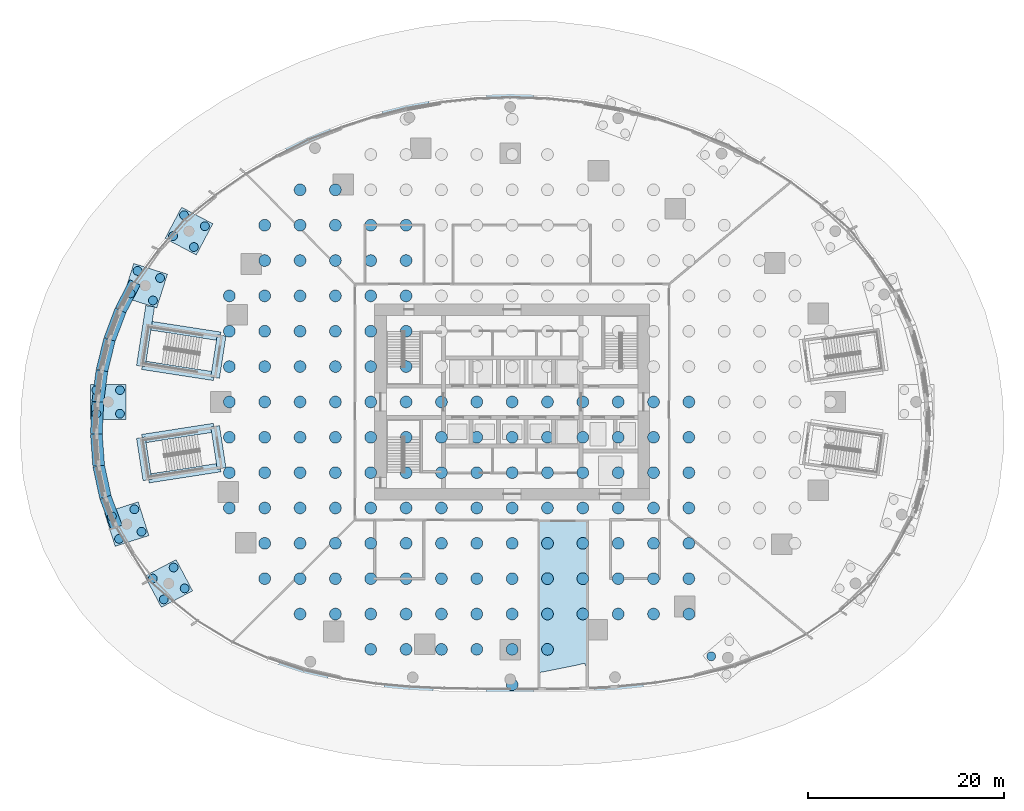
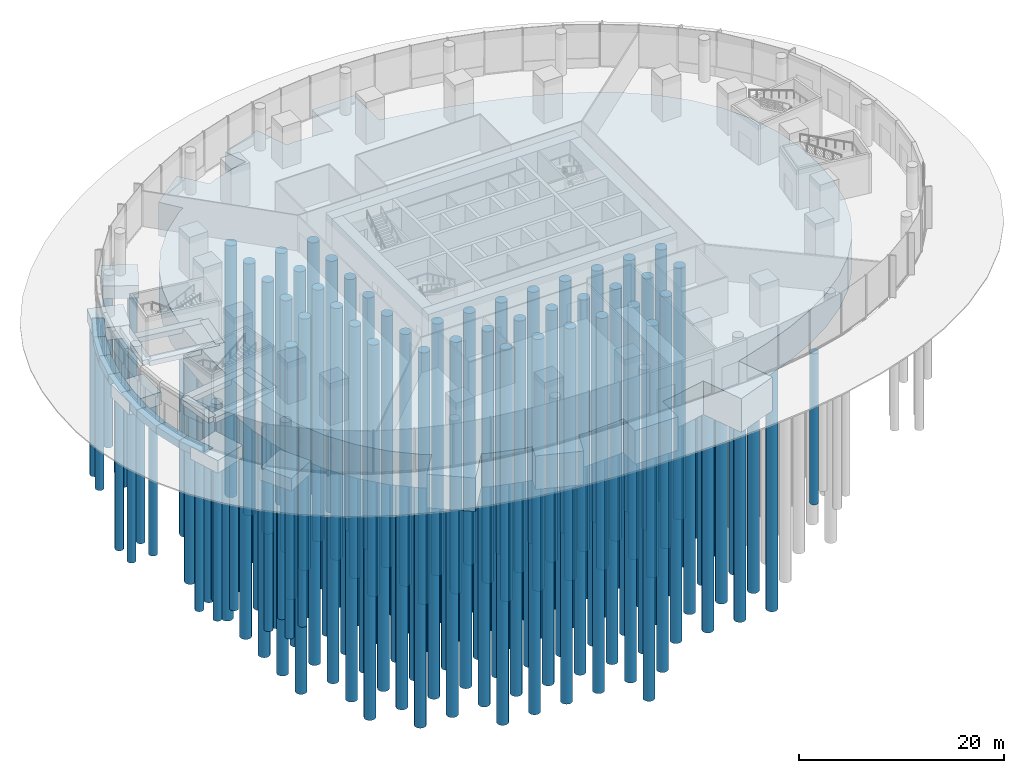
# One storey, part 1 of 29: 152 piles, 22 footings.
"""IFC4 building model written with IfcOpenShell, lengths in metres."""

from ifc_helpers import new_model, si_unit, direction, frame, frame_2d, origin, origin_2d, place, context, subcontext, project, spatial, polyline, rectangle, circle, outline, extrude, material, layer, layer_set, material_profile, profile_set, type_object, element, save


model = new_model("IFC4")

# Units and contexts
model_context = context("Model", 3, precision=1e-05, world=origin(), true_north=direction((0.0, 1.0)))
body_context = subcontext(model_context, "Body", "Model", "MODEL_VIEW")
ifc_project = project(units=[si_unit("LENGTHUNIT", "METRE"), si_unit("AREAUNIT", "SQUARE_METRE"), si_unit("VOLUMEUNIT", "CUBIC_METRE"), si_unit("PLANEANGLEUNIT", "RADIAN"), si_unit("MASSUNIT", "GRAM", prefix="KILO")], contexts=[model_context])

# Site, building, storey
site_placement = place(None, origin())
site = spatial("IfcSite", under=ifc_project, at=site_placement, CompositionType="ELEMENT")
building_placement = place(site_placement, origin())
building = spatial("IfcBuilding", under=site, at=building_placement, Name="Ghaith Harvest Tower", CompositionType="ELEMENT")
storey_placement = place(building_placement, origin())
storey = spatial("IfcBuildingStorey", under=building, at=storey_placement, Name="L00", CompositionType="ELEMENT", Elevation=0.0)

# Piles
ifc_material_1 = material(Name="Concrete C50/60", Category="concrete")
ifc_material_profile_1 = material_profile(ifc_material_1, circle(Radius=0.60009765625, at=origin_2d()), Name="PILE1200")
ifc_profile_set_1 = profile_set([ifc_material_profile_1], Name="Concrete C50/60")
pile_type_1 = type_object("IfcPileType", Name="PILE BP1200", PredefinedType="BORED", material=ifc_profile_set_1)
for number, where, z_axis, x_axis, name in (
    (1, (-28.800048828125, -10.800048828125, -4.14990234375), (0.0, 0.0, -1.0), (1.0, 0.0, 0.0), "Raft pile 1"),
    (2, (-28.800048828125, -7.199951171875, -4.14990234375), (0.0, 0.0, -1.0), (1.0, 0.0, 0.0), "Raft pile 2"),
    (3, (-28.800048828125, -3.60009765625, -4.14990234375), (0.0, 0.0, -1.0), (1.0, 0.0, 0.0), "Raft pile 3"),
    (4, (-28.800048828125, 0.0, -4.14990234375), (0.0, 0.0, -1.0), (1.0, 0.0, 0.0), "Raft pile 4"),
    (5, (-28.800048828125, 3.60009765625, -4.14990234375), (0.0, 0.0, -1.0), (1.0, 0.0, 0.0), "Raft pile 5"),
    (6, (-28.800048828125, 7.199951171875, -4.14990234375), (0.0, 0.0, -1.0), (1.0, 0.0, 0.0), "Raft pile 6"),
    (7, (-28.800048828125, 10.800048828125, -4.14990234375), (0.0, 0.0, -1.0), (1.0, 0.0, 0.0), "Raft pile 7"),
    (8, (-25.199951171875, -18.0, -4.14990234375), (0.0, 0.0, -1.0), (1.0, 0.0, 0.0), "Raft pile 8"),
    (9, (-25.199951171875, -14.39990234375, -4.14990234375), (0.0, 0.0, -1.0), (1.0, 0.0, 0.0), "Raft pile 9"),
    (10, (-25.199951171875, -10.800048828125, -4.14990234375), (0.0, 0.0, -1.0), (1.0, 0.0, 0.0), "Raft pile 10"),
    (11, (-25.199951171875, -7.199951171875, -4.14990234375), (0.0, 0.0, -1.0), (1.0, 0.0, 0.0), "Raft pile 11"),
    (12, (-25.199951171875, -3.60009765625, -4.14990234375), (0.0, 0.0, -1.0), (1.0, 0.0, 0.0), "Raft pile 12"),
    (13, (-25.199951171875, 0.0, -4.14990234375), (0.0, 0.0, -1.0), (1.0, 0.0, 0.0), "Raft pile 13"),
    (14, (-25.199951171875, 3.60009765625, -4.14990234375), (0.0, 0.0, -1.0), (1.0, 0.0, 0.0), "Raft pile 14"),
    (15, (-25.199951171875, 7.199951171875, -4.14990234375), (0.0, 0.0, -1.0), (1.0, 0.0, 0.0), "Raft pile 15"),
    (16, (-25.199951171875, 10.800048828125, -4.14990234375), (0.0, 0.0, -1.0), (1.0, 0.0, 0.0), "Raft pile 16"),
    (17, (-25.199951171875, 14.39990234375, -4.14990234375), (0.0, 0.0, -1.0), (1.0, 0.0, 0.0), "Raft pile 17"),
    (18, (-25.199951171875, 18.0, -4.14990234375), (0.0, 0.0, -1.0), (1.0, 0.0, 0.0), "Raft pile 18"),
    (19, (-21.60009765625, -21.60009765625, -4.14990234375), (0.0, 0.0, -1.0), (1.0, 0.0, 0.0), "Raft pile 19"),
    (20, (-21.60009765625, -18.0, -4.14990234375), (0.0, 0.0, -1.0), (1.0, 0.0, 0.0), "Raft pile 20"),
    (21, (-21.60009765625, -14.39990234375, -4.14990234375), (0.0, 0.0, -1.0), (1.0, 0.0, 0.0), "Raft pile 21"),
    (22, (-21.60009765625, -10.800048828125, -4.14990234375), (0.0, 0.0, -1.0), (1.0, 0.0, 0.0), "Raft pile 22"),
    (23, (-21.60009765625, -7.199951171875, -4.14990234375), (0.0, 0.0, -1.0), (1.0, 0.0, 0.0), "Raft pile 23"),
    (24, (-21.60009765625, -3.60009765625, -4.14990234375), (0.0, 0.0, -1.0), (1.0, 0.0, 0.0), "Raft pile 24"),
    (25, (-21.60009765625, 0.0, -4.14990234375), (0.0, 0.0, -1.0), (1.0, 0.0, 0.0), "Raft pile 25"),
    (26, (-21.60009765625, 3.60009765625, -4.14990234375), (0.0, 0.0, -1.0), (1.0, 0.0, 0.0), "Raft pile 26"),
    (27, (-21.60009765625, 7.199951171875, -4.14990234375), (0.0, 0.0, -1.0), (1.0, 0.0, 0.0), "Raft pile 27"),
    (28, (-21.60009765625, 10.800048828125, -4.14990234375), (0.0, 0.0, -1.0), (1.0, 0.0, 0.0), "Raft pile 28"),
    (29, (-21.60009765625, 14.39990234375, -4.14990234375), (0.0, 0.0, -1.0), (1.0, 0.0, 0.0), "Raft pile 29"),
    (30, (-21.60009765625, 18.0, -4.14990234375), (0.0, 0.0, -1.0), (1.0, 0.0, 0.0), "Raft pile 30"),
    (31, (-21.60009765625, 21.60009765625, -4.14990234375), (0.0, 0.0, -1.0), (1.0, 0.0, 0.0), "Raft pile 31"),
    (32, (-18.0, -21.60009765625, -4.14990234375), (0.0, 0.0, -1.0), (1.0, 0.0, 0.0), "Raft pile 32"),
    (33, (-18.0, -18.0, -4.14990234375), (0.0, 0.0, -1.0), (1.0, 0.0, 0.0), "Raft pile 33"),
    (34, (-18.0, -14.39990234375, -4.14990234375), (0.0, 0.0, -1.0), (1.0, 0.0, 0.0), "Raft pile 34"),
    (35, (-18.0, -10.800048828125, -4.14990234375), (0.0, 0.0, -1.0), (1.0, 0.0, 0.0), "Raft pile 35"),
    (36, (-18.0, -7.199951171875, -4.14990234375), (0.0, 0.0, -1.0), (1.0, 0.0, 0.0), "Raft pile 36"),
    (37, (-18.0, -3.60009765625, -4.14990234375), (0.0, 0.0, -1.0), (1.0, 0.0, 0.0), "Raft pile 37"),
    (38, (-18.0, 0.0, -4.14990234375), (0.0, 0.0, -1.0), (1.0, 0.0, 0.0), "Raft pile 38"),
    (39, (-18.0, 3.60009765625, -4.14990234375), (0.0, 0.0, -1.0), (1.0, 0.0, 0.0), "Raft pile 39"),
    (40, (-18.0, 7.199951171875, -4.14990234375), (0.0, 0.0, -1.0), (1.0, 0.0, 0.0), "Raft pile 40"),
    (41, (-18.0, 10.800048828125, -4.14990234375), (0.0, 0.0, -1.0), (1.0, 0.0, 0.0), "Raft pile 41"),
    (42, (-18.0, 14.39990234375, -4.14990234375), (0.0, 0.0, -1.0), (1.0, 0.0, 0.0), "Raft pile 42"),
    (43, (-18.0, 18.0, -4.14990234375), (0.0, 0.0, -1.0), (1.0, 0.0, 0.0), "Raft pile 43"),
    (44, (-18.0, 21.60009765625, -4.14990234375), (0.0, 0.0, -1.0), (1.0, 0.0, 0.0), "Raft pile 44"),
    (45, (-14.39990234375, -25.199951171875, -4.14990234375), (0.0, 0.0, -1.0), (1.0, 0.0, 0.0), "Raft pile 45"),
    (46, (-14.39990234375, -21.60009765625, -4.14990234375), (0.0, 0.0, -1.0), (1.0, 0.0, 0.0), "Raft pile 46"),
    (47, (-14.39990234375, -18.0, -4.14990234375), (0.0, 0.0, -1.0), (1.0, 0.0, 0.0), "Raft pile 47"),
    (48, (-14.39990234375, -14.39990234375, -4.14990234375), (0.0, 0.0, -1.0), (1.0, 0.0, 0.0), "Raft pile 48"),
    (49, (-14.39990234375, -10.800048828125, -4.14990234375), (0.0, 0.0, -1.0), (1.0, 0.0, 0.0), "Raft pile 49"),
    (50, (-14.39990234375, -7.199951171875, -4.14990234375), (0.0, 0.0, -1.0), (1.0, 0.0, 0.0), "Raft pile 50"),
    (51, (-14.39990234375, -3.60009765625, -4.14990234375), (0.0, 0.0, -1.0), (1.0, 0.0, 0.0), "Raft pile 51"),
    (52, (-14.39990234375, 0.0, -4.14990234375), (0.0, 0.0, -1.0), (1.0, 0.0, 0.0), "Raft pile 52"),
    (53, (-14.39990234375, 3.60009765625, -4.14990234375), (0.0, 0.0, -1.0), (1.0, 0.0, 0.0), "Raft pile 53"),
    (54, (-14.39990234375, 7.199951171875, -4.14990234375), (0.0, 0.0, -1.0), (1.0, 0.0, 0.0), "Raft pile 54"),
    (55, (-14.39990234375, 10.800048828125, -4.14990234375), (0.0, 0.0, -1.0), (1.0, 0.0, 0.0), "Raft pile 55"),
    (56, (-14.39990234375, 14.39990234375, -4.14990234375), (0.0, 0.0, -1.0), (1.0, 0.0, 0.0), "Raft pile 56"),
    (57, (-14.39990234375, 18.0, -4.14990234375), (0.0, 0.0, -1.0), (1.0, 0.0, 0.0), "Raft pile 57"),
    (58, (-10.800048828125, -25.199951171875, -4.14990234375), (0.0, 0.0, -1.0), (1.0, 0.0, 0.0), "Raft pile 60"),
    (59, (-10.800048828125, -21.60009765625, -4.14990234375), (0.0, 0.0, -1.0), (1.0, 0.0, 0.0), "Raft pile 61"),
    (60, (-10.800048828125, -18.0, -4.14990234375), (0.0, 0.0, -1.0), (1.0, 0.0, 0.0), "Raft pile 62"),
    (61, (-10.800048828125, -14.39990234375, -4.14990234375), (0.0, 0.0, -1.0), (1.0, 0.0, 0.0), "Raft pile 63"),
    (62, (-10.800048828125, -10.800048828125, -4.14990234375), (0.0, 0.0, -1.0), (1.0, 0.0, 0.0), "Raft pile 64"),
    (63, (-10.800048828125, -7.199951171875, -4.14990234375), (0.0, 0.0, -1.0), (1.0, 0.0, 0.0), "Raft pile 65"),
    (64, (-10.800048828125, -3.60009765625, -4.14990234375), (0.0, 0.0, -1.0), (1.0, 0.0, 0.0), "Raft pile 66"),
    (65, (-10.800048828125, 0.0, -4.14990234375), (0.0, 0.0, -1.0), (1.0, 0.0, 0.0), "Raft pile 67"),
    (66, (-10.800048828125, 3.60009765625, -4.14990234375), (0.0, 0.0, -1.0), (1.0, 0.0, 0.0), "Raft pile 68"),
    (67, (-10.800048828125, 7.199951171875, -4.14990234375), (0.0, 0.0, -1.0), (1.0, 0.0, 0.0), "Raft pile 69"),
    (68, (-10.800048828125, 10.800048828125, -4.14990234375), (0.0, 0.0, -1.0), (1.0, 0.0, 0.0), "Raft pile 70"),
    (69, (-10.800048828125, 14.39990234375, -4.14990234375), (0.0, 0.0, -1.0), (1.0, 0.0, 0.0), "Raft pile 71"),
    (70, (-10.800048828125, 18.0, -4.14990234375), (0.0, 0.0, -1.0), (1.0, 0.0, 0.0), "Raft pile 72"),
    (71, (-7.199951171875, -25.199951171875, -4.14990234375), (0.0, 0.0, -1.0), (1.0, 0.0, 0.0), "Raft pile 76"),
    (72, (-7.199951171875, -21.60009765625, -4.14990234375), (0.0, 0.0, -1.0), (1.0, 0.0, 0.0), "Raft pile 77"),
    (73, (-7.199951171875, -18.0, -4.14990234375), (0.0, 0.0, -1.0), (1.0, 0.0, 0.0), "Raft pile 78"),
    (74, (-7.199951171875, -14.39990234375, -4.14990234375), (0.0, 0.0, -1.0), (1.0, 0.0, 0.0), "Raft pile 79"),
    (75, (-7.199951171875, -10.800048828125, -4.14990234375), (0.0, 0.0, -1.0), (1.0, 0.0, 0.0), "Raft pile 80"),
    (76, (-7.199951171875, -7.199951171875, -4.14990234375), (0.0, 0.0, -1.0), (1.0, 0.0, 0.0), "Raft pile 81"),
    (77, (-7.199951171875, -3.60009765625, -4.14990234375), (0.0, 0.0, -1.0), (1.0, 0.0, 0.0), "Raft pile 82"),
    (78, (-7.199951171875, 0.0, -4.14990234375), (0.0, 0.0, -1.0), (1.0, 0.0, 0.0), "Raft pile 83"),
    (79, (-3.60009765625, -25.199951171875, -4.14990234375), (0.0, 0.0, -1.0), (1.0, 0.0, 0.0), "Raft pile 91"),
    (80, (-3.60009765625, -21.60009765625, -4.14990234375), (0.0, 0.0, -1.0), (1.0, 0.0, 0.0), "Raft pile 92"),
    (81, (-3.60009765625, -18.0, -4.14990234375), (0.0, 0.0, -1.0), (1.0, 0.0, 0.0), "Raft pile 93"),
    (82, (-3.60009765625, -14.39990234375, -4.14990234375), (0.0, 0.0, -1.0), (1.0, 0.0, 0.0), "Raft pile 94"),
    (83, (-3.60009765625, -10.800048828125, -4.14990234375), (0.0, 0.0, -1.0), (1.0, 0.0, 0.0), "Raft pile 95"),
    (84, (-3.60009765625, -7.199951171875, -4.14990234375), (0.0, 0.0, -1.0), (1.0, 0.0, 0.0), "Raft pile 96"),
    (85, (-3.60009765625, -3.60009765625, -4.14990234375), (0.0, 0.0, -1.0), (1.0, 0.0, 0.0), "Raft pile 97"),
    (86, (-3.60009765625, 0.0, -4.14990234375), (0.0, 0.0, -1.0), (1.0, 0.0, 0.0), "Raft pile 98"),
    (87, (0.0, -28.800048828125, -4.14990234375), (0.0, 0.0, -1.0), (1.0, 0.0, 0.0), "Raft pile 106"),
    (88, (0.0, -25.199951171875, -4.14990234375), (0.0, 0.0, -1.0), (1.0, 0.0, 0.0), "Raft pile 107"),
    (89, (0.0, -21.60009765625, -4.14990234375), (0.0, 0.0, -1.0), (1.0, 0.0, 0.0), "Raft pile 108"),
    (90, (0.0, -18.0, -4.14990234375), (0.0, 0.0, -1.0), (1.0, 0.0, 0.0), "Raft pile 109"),
    (91, (0.0, -14.39990234375, -4.14990234375), (0.0, 0.0, -1.0), (1.0, 0.0, 0.0), "Raft pile 110"),
    (92, (0.0, -10.800048828125, -4.14990234375), (0.0, 0.0, -1.0), (1.0, 0.0, 0.0), "Raft pile 111"),
    (93, (0.0, -7.199951171875, -4.14990234375), (0.0, 0.0, -1.0), (1.0, 0.0, 0.0), "Raft pile 112"),
    (94, (0.0, -3.60009765625, -4.14990234375), (0.0, 0.0, -1.0), (1.0, 0.0, 0.0), "Raft pile 113"),
    (95, (0.0, 0.0, -4.14990234375), (0.0, 0.0, -1.0), (1.0, 0.0, 0.0), "Raft pile 114"),
    (96, (3.60009765625, -25.199951171875, -4.14990234375), (0.0, 0.0, -1.0), (1.0, 0.0, 0.0), "Raft pile 123"),
    (97, (3.60009765625, -21.60009765625, -4.14990234375), (0.0, 0.0, -1.0), (1.0, 0.0, 0.0), "Raft pile 124"),
    (98, (3.60009765625, -18.0, -4.14990234375), (0.0, 0.0, -1.0), (1.0, 0.0, 0.0), "Raft pile 125"),
    (99, (3.60009765625, -14.39990234375, -4.14990234375), (0.0, 0.0, -1.0), (1.0, 0.0, 0.0), "Raft pile 126"),
    (100, (3.60009765625, -10.800048828125, -4.14990234375), (0.0, 0.0, -1.0), (1.0, 0.0, 0.0), "Raft pile 127"),
    (101, (3.60009765625, -7.199951171875, -4.14990234375), (0.0, 0.0, -1.0), (1.0, 0.0, 0.0), "Raft pile 128"),
    (102, (3.60009765625, -3.60009765625, -4.14990234375), (0.0, 0.0, -1.0), (1.0, 0.0, 0.0), "Raft pile 129"),
    (103, (3.60009765625, 0.0, -4.14990234375), (0.0, 0.0, -1.0), (1.0, 0.0, 0.0), "Raft pile 130"),
    (104, (7.199951171875, -21.60009765625, -4.14990234375), (0.0, 0.0, -1.0), (1.0, 0.0, 0.0), "Raft pile 138"),
    (105, (7.199951171875, -18.0, -4.14990234375), (0.0, 0.0, -1.0), (1.0, 0.0, 0.0), "Raft pile 139"),
    (106, (7.199951171875, -14.39990234375, -4.14990234375), (0.0, 0.0, -1.0), (1.0, 0.0, 0.0), "Raft pile 140"),
    (107, (7.199951171875, -10.800048828125, -4.14990234375), (0.0, 0.0, -1.0), (1.0, 0.0, 0.0), "Raft pile 141"),
    (108, (7.199951171875, -7.199951171875, -4.14990234375), (0.0, 0.0, -1.0), (1.0, 0.0, 0.0), "Raft pile 142"),
    (109, (7.199951171875, -3.60009765625, -4.14990234375), (0.0, 0.0, -1.0), (1.0, 0.0, 0.0), "Raft pile 143"),
    (110, (7.199951171875, 0.0, -4.14990234375), (0.0, 0.0, -1.0), (1.0, 0.0, 0.0), "Raft pile 144"),
    (111, (10.800048828125, -21.60009765625, -4.14990234375), (0.0, 0.0, -1.0), (1.0, 0.0, 0.0), "Raft pile 151"),
    (112, (10.800048828125, -18.0, -4.14990234375), (0.0, 0.0, -1.0), (1.0, 0.0, 0.0), "Raft pile 152"),
    (113, (10.800048828125, -14.39990234375, -4.14990234375), (0.0, 0.0, -1.0), (1.0, 0.0, 0.0), "Raft pile 153"),
    (114, (10.800048828125, -10.800048828125, -4.14990234375), (0.0, 0.0, -1.0), (1.0, 0.0, 0.0), "Raft pile 154"),
    (115, (10.800048828125, -7.199951171875, -4.14990234375), (0.0, 0.0, -1.0), (1.0, 0.0, 0.0), "Raft pile 155"),
    (116, (10.800048828125, -3.60009765625, -4.14990234375), (0.0, 0.0, -1.0), (1.0, 0.0, 0.0), "Raft pile 156"),
    (117, (10.800048828125, 0.0, -4.14990234375), (0.0, 0.0, -1.0), (1.0, 0.0, 0.0), "Raft pile 157"),
    (118, (14.39990234375, -21.60009765625, -4.14990234375), (0.0, 0.0, -1.0), (1.0, 0.0, 0.0), "Raft pile 164"),
    (119, (14.39990234375, -18.0, -4.14990234375), (0.0, 0.0, -1.0), (1.0, 0.0, 0.0), "Raft pile 165"),
    (120, (14.39990234375, -14.39990234375, -4.14990234375), (0.0, 0.0, -1.0), (1.0, 0.0, 0.0), "Raft pile 166"),
    (121, (14.39990234375, -10.800048828125, -4.14990234375), (0.0, 0.0, -1.0), (1.0, 0.0, 0.0), "Raft pile 167"),
    (122, (14.39990234375, -7.199951171875, -4.14990234375), (0.0, 0.0, -1.0), (1.0, 0.0, 0.0), "Raft pile 168"),
    (123, (14.39990234375, -3.60009765625, -4.14990234375), (0.0, 0.0, -1.0), (1.0, 0.0, 0.0), "Raft pile 169"),
    (124, (14.39990234375, 0.0, -4.14990234375), (0.0, 0.0, -1.0), (1.0, 0.0, 0.0), "Raft pile 170"),
    (125, (18.0, -21.60009765625, -4.14990234375), (0.0, 0.0, -1.0), (1.0, 0.0, 0.0), "Raft pile 177"),
    (126, (18.0, -18.0, -4.14990234375), (0.0, 0.0, -1.0), (1.0, 0.0, 0.0), "Raft pile 178"),
    (127, (18.0, -14.39990234375, -4.14990234375), (0.0, 0.0, -1.0), (1.0, 0.0, 0.0), "Raft pile 179"),
    (128, (18.0, -10.800048828125, -4.14990234375), (0.0, 0.0, -1.0), (1.0, 0.0, 0.0), "Raft pile 180"),
    (129, (18.0, -7.199951171875, -4.14990234375), (0.0, 0.0, -1.0), (1.0, 0.0, 0.0), "Raft pile 181"),
    (130, (18.0, -3.60009765625, -4.14990234375), (0.0, 0.0, -1.0), (1.0, 0.0, 0.0), "Raft pile 182"),
    (131, (18.0, 0.0, -4.14990234375), (0.0, 0.0, -1.0), (1.0, 0.0, 0.0), "Raft pile 183"),
):
    element("IfcPile", number, at=place(storey_placement, frame(where, z_axis=z_axis, x_axis=x_axis)), inside=storey, type_object=pile_type_1, Name=name, PredefinedType="BORED", context=body_context, shape_type="SweptSolid", body=[
        extrude(circle(Radius=0.60009765625, at=origin_2d()), origin(), (0.0, 0.0, 1.0), 30.0),
    ])
ifc_material_2 = material(Name="Concrete C50/60", Category="concrete")
ifc_material_profile_2 = material_profile(ifc_material_2, circle(Radius=0.449951171875, at=origin_2d()), Name="PILE900")
ifc_profile_set_2 = profile_set([ifc_material_profile_2], Name="Concrete C50/60")
pile_type_2 = type_object("IfcPileType", Name="PILE BP900", PredefinedType="BORED", material=ifc_profile_set_2)
for number, where, z_axis, x_axis, name in (
    (132, (-31.293212890625, 17.89794921875, -1.699951171875), (0.0, 0.0, -1.0), (1.0, 0.0, 0.0), "Pile 1 of cap PC4 at column P09"),
    (133, (-33.4150390625, 19.01953125, -1.699951171875), (0.0, 0.0, -1.0), (1.0, 0.0, 0.0), "Pile 2 of cap PC4 at column P09"),
    (134, (-34.53662109375, 16.897705078125, -1.699951171875), (0.0, 0.0, -1.0), (1.0, 0.0, 0.0), "Pile 3 of cap PC4 at column P09"),
    (135, (-32.414794921875, 15.776123046875, -1.699951171875), (0.0, 0.0, -1.0), (1.0, 0.0, 0.0), "Pile 4 of cap PC4 at column P09"),
    (136, (-35.85693359375, 12.62255859375, -1.699951171875), (0.0, 0.0, -1.0), (1.0, 0.0, 0.0), "Pile 1 of cap PC4 at column P10"),
    (137, (-38.144775390625, 13.34765625, -1.699951171875), (0.0, 0.0, -1.0), (1.0, 0.0, 0.0), "Pile 2 of cap PC4 at column P10"),
    (138, (-38.869873046875, 11.059814453125, -1.699951171875), (0.0, 0.0, -1.0), (1.0, 0.0, 0.0), "Pile 3 of cap PC4 at column P10"),
    (139, (-36.58203125, 10.334716796875, -1.699951171875), (0.0, 0.0, -1.0), (1.0, 0.0, 0.0), "Pile 4 of cap PC4 at column P10"),
    (140, (-39.9423828125, 1.199951171875, -1.699951171875), (0.0, 0.0, -1.0), (1.0, 0.0, 0.0), "Pile 1 of cap PC4 at column P11"),
    (141, (-42.34228515625, 1.199951171875, -1.699951171875), (0.0, 0.0, -1.0), (1.0, 0.0, 0.0), "Pile 2 of cap PC4 at column P11"),
    (142, (-42.34228515625, -1.199951171875, -1.699951171875), (0.0, 0.0, -1.0), (1.0, 0.0, 0.0), "Pile 3 of cap PC4 at column P11"),
    (143, (-39.9423828125, -1.199951171875, -1.699951171875), (0.0, 0.0, -1.0), (1.0, 0.0, 0.0), "Pile 4 of cap PC4 at column P11"),
    (144, (-38.474609375, -10.9345703125, -1.699951171875), (0.0, 0.0, -1.0), (1.0, 0.0, 0.0), "Pile 1 of cap PC4 at column P12"),
    (145, (-40.762451171875, -11.65966796875, -1.699951171875), (0.0, 0.0, -1.0), (1.0, 0.0, 0.0), "Pile 2 of cap PC4 at column P12"),
    (146, (-40.037353515625, -13.947509765625, -1.699951171875), (0.0, 0.0, -1.0), (1.0, 0.0, 0.0), "Pile 3 of cap PC4 at column P12"),
    (147, (-37.74951171875, -13.222412109375, -1.699951171875), (0.0, 0.0, -1.0), (1.0, 0.0, 0.0), "Pile 4 of cap PC4 at column P12"),
    (148, (-34.474609375, -16.864990234375, -1.699951171875), (0.0, 0.0, -1.0), (1.0, 0.0, 0.0), "Pile 1 of cap PC4 at column P13"),
    (149, (-36.5966796875, -17.986572265625, -1.699951171875), (0.0, 0.0, -1.0), (1.0, 0.0, 0.0), "Pile 2 of cap PC4 at column P13"),
    (150, (-35.47509765625, -20.1083984375, -1.699951171875), (0.0, 0.0, -1.0), (1.0, 0.0, 0.0), "Pile 3 of cap PC4 at column P13"),
    (151, (-33.353271484375, -18.98681640625, -1.699951171875), (0.0, 0.0, -1.0), (1.0, 0.0, 0.0), "Pile 4 of cap PC4 at column P13"),
    (152, (20.2783203125, -25.90869140625, -1.699951171875), (0.0, 0.0, -1.0), (1.0, 0.0, 0.0), "Pile 1 of cap PC4 at column P18"),
):
    element("IfcPile", number, at=place(storey_placement, frame(where, z_axis=z_axis, x_axis=x_axis)), inside=storey, type_object=pile_type_2, Name=name, PredefinedType="BORED", context=body_context, shape_type="SweptSolid", body=[
        extrude(circle(Radius=0.449951171875, at=origin_2d()), origin(), (0.0, 0.0, 1.0), 18.0),
    ])

# Footings
ifc_material_3 = material(Name="Concrete C40/50", Category="concrete")
ifc_layer_1 = layer(ifc_material_3, 1.5)
ifc_layer_set_1 = layer_set([ifc_layer_1], Name="PILE CAP PC4")
footing_type_1 = type_object("IfcFootingType", Name="PILE CAP PC4", PredefinedType="PILE_CAP", material=ifc_layer_set_1)
for number, where, z_axis, x_axis, name in (
    (153, (-32.914794921875, 17.39794921875, -1.800048828125), (0.0, 0.0, 1.0), (-0.884094940525, 0.467307325149, 0.0), "Pile cap PC4 at column P09"),
    (154, (-37.363525390625, 11.841064453125, -1.800048828125), (0.0, 0.0, 1.0), (-0.953273219358, 0.302109531884, 0.0), "Pile cap PC4 at column P10"),
    (155, (-41.142333984375, 0.0, -1.800048828125), (0.0, 0.0, 1.0), (-1.0, -4.19e-10, 0.0), "Pile cap PC4 at column P11"),
    (156, (-39.256103515625, -12.44091796875, -1.800048828125), (0.0, 0.0, 1.0), (-0.953273219416, -0.302109531701, 0.0), "Pile cap PC4 at column P12"),
    (157, (-34.974853515625, -18.48681640625, -1.800048828125), (0.0, 0.0, 1.0), (-0.884094940142, -0.467307325874, 0.0), "Pile cap PC4 at column P13"),
):
    element("IfcFooting", number, at=place(storey_placement, frame(where, z_axis=z_axis, x_axis=x_axis)), inside=storey, type_object=footing_type_1, Name=name, PredefinedType="PILE_CAP", context=body_context, shape_type="SweptSolid", body=[
        extrude(rectangle(XDim=3.60009765625, YDim=3.60009765625, at=origin_2d()), origin(), (0.0, 0.0, 1.0), 1.5),
    ])
ifc_material_4 = material(Name="Concrete C40/50", Category="concrete")
ifc_layer_2 = layer(ifc_material_4, 0.89990234375)
ifc_layer_set_2 = layer_set([ifc_layer_2], Name="PORTAL STRIP FOOTING 1200")
footing_type_2 = type_object("IfcFootingType", Name="PORTAL STRIP FOOTING 1200", PredefinedType="STRIP_FOOTING", material=ifc_layer_set_2)
footing_1_placement = place(storey_placement, frame((-38.403564453125, 12.1708984375, -1.199951171875), z_axis=(0.0, 0.0, 1.0), x_axis=(-0.461376859652, -0.887204256853, 0.0)))
element("IfcFooting", 158, at=footing_1_placement, inside=storey, type_object=footing_type_2, Name="Strip footing under portal wall 10.1", PredefinedType="STRIP_FOOTING", context=body_context, shape_type="SweptSolid", body=[
    extrude(rectangle(XDim=3.1865234375, YDim=1.199951171875, at=frame_2d((1.59326171875, 0.0))), origin(), (0.0, 0.0, 1.0), 0.89990234375),
])
footing_2_placement = place(storey_placement, frame((-39.873779296875, 9.34375, -1.199951171875), z_axis=(0.0, 0.0, 1.0), x_axis=(-0.352216020917, -0.935918732909, 0.0)))
element("IfcFooting", 159, at=footing_2_placement, inside=storey, type_object=footing_type_2, Name="Strip footing under portal wall 10.2", PredefinedType="STRIP_FOOTING", context=body_context, shape_type="SweptSolid", body=[
    extrude(rectangle(XDim=3.207275390625, YDim=1.199951171875, at=frame_2d((1.603515625, 0.0))), origin(), (0.0, 0.0, 1.0), 0.89990234375),
])
footing_3_placement = place(storey_placement, frame((-41.00341796875, 6.342041015625, -1.199951171875), z_axis=(0.0, 0.0, 1.0), x_axis=(-0.238416966646, -0.971162885419, 0.0)))
element("IfcFooting", 160, at=footing_3_placement, inside=storey, type_object=footing_type_2, Name="Strip footing under portal wall 10.3", PredefinedType="STRIP_FOOTING", context=body_context, shape_type="SweptSolid", body=[
    extrude(rectangle(XDim=3.2236328125, YDim=1.199951171875, at=frame_2d((1.61181640625, 0.0))), origin(), (0.0, 0.0, 1.0), 0.89990234375),
])
footing_4_placement = place(storey_placement, frame((-41.77197265625, 3.21142578125, -1.199951171875), z_axis=(0.0, 0.0, 1.0), x_axis=(-0.132099551806, -0.99123645434, 0.0)))
element("IfcFooting", 161, at=footing_4_placement, inside=storey, type_object=footing_type_2, Name="Strip footing under portal wall 10.4", PredefinedType="STRIP_FOOTING", context=body_context, shape_type="SweptSolid", body=[
    extrude(rectangle(XDim=3.23974609375, YDim=1.199951171875, at=frame_2d((1.619873046875, 0.0))), origin(), (0.0, 0.0, 1.0), 0.89990234375),
])
footing_5_placement = place(storey_placement, frame((-42.199951171875, 0.0, -1.199951171875), z_axis=(0.0, 0.0, 1.0), x_axis=(-0.044503635675, -0.999009222386, 0.0)))
element("IfcFooting", 162, at=footing_5_placement, inside=storey, type_object=footing_type_2, Name="Strip footing under portal wall 11.1", PredefinedType="STRIP_FOOTING", context=body_context, shape_type="SweptSolid", body=[
    extrude(rectangle(XDim=3.258544921875, YDim=1.199951171875, at=frame_2d((1.62939453125, 0.0))), origin(), (0.0, 0.0, 1.0), 0.89990234375),
])
footing_6_placement = place(storey_placement, frame((-42.344970703125, -3.25537109375, -1.199951171875), z_axis=(0.0, 0.0, 1.0), x_axis=(0.073260369669, -0.997312848727, 0.0)))
element("IfcFooting", 163, at=footing_6_placement, inside=storey, type_object=footing_type_2, Name="Strip footing under portal wall 11.2", PredefinedType="STRIP_FOOTING", context=body_context, shape_type="SweptSolid", body=[
    extrude(rectangle(XDim=3.265869140625, YDim=1.199951171875, at=frame_2d((1.6328125, 0.0))), origin(), (0.0, 0.0, 1.0), 0.89990234375),
])
footing_7_placement = place(storey_placement, frame((-42.105712890625, -6.512451171875, -1.199951171875), z_axis=(0.0, 0.0, 1.0), x_axis=(0.210024180065, -0.977696191968, 0.0)))
element("IfcFooting", 164, at=footing_7_placement, inside=storey, type_object=footing_type_2, Name="Strip footing under portal wall 11.3", PredefinedType="STRIP_FOOTING", context=body_context, shape_type="SweptSolid", body=[
    extrude(rectangle(XDim=3.266357421875, YDim=1.199951171875, at=frame_2d((1.63330078125, 0.0))), origin(), (0.0, 0.0, 1.0), 0.89990234375),
])
footing_8_placement = place(storey_placement, frame((-41.419677734375, -9.7060546875, -1.199951171875), z_axis=(0.0, 0.0, 1.0), x_axis=(0.351049693791, -0.93635682968, 0.0)))
element("IfcFooting", 165, at=footing_8_placement, inside=storey, type_object=footing_type_2, Name="Strip footing under portal wall 11.4", PredefinedType="STRIP_FOOTING", context=body_context, shape_type="SweptSolid", body=[
    extrude(rectangle(XDim=3.26513671875, YDim=1.199951171875, at=frame_2d((1.632568359375, 0.0))), origin(), (0.0, 0.0, 1.0), 0.89990234375),
])
ifc_material_5 = material(Name="Concrete C50/60", Category="concrete")
ifc_layer_3 = layer(ifc_material_5, 4.0)
ifc_layer_set_3 = layer_set([ifc_layer_3], Name="RAFT 4000")
footing_type_3 = type_object("IfcFootingType", Name="RAFT 4000", PredefinedType="PILE_CAP", material=ifc_layer_set_3)
footing_9_placement = place(storey_placement, frame((0.0, 0.0, -4.300048828125)))
element("IfcFooting", 166, at=footing_9_placement, inside=storey, type_object=footing_type_3, Name="Tower piled raft", PredefinedType="PILE_CAP", context=body_context, shape_type="SweptSolid", body=[
    extrude(outline(polyline([(-2.609619140625, -30.633544921875), (-2.59375, -28.303955078125), (-3.42724609375, -28.39990234375), (-6.7841796875, -28.54443359375), (-7.739501953125, -28.49365234375), (-8.68896484375, -31.1220703125), (-13.203369140625, -29.49169921875), (-12.651611328125, -27.963623046875), (-13.482177734375, -27.826904296875), (-16.69921875, -26.888916015625), (-17.551513671875, -26.51220703125), (-20.125244140625, -29.826171875), (-23.916259765625, -26.8818359375), (-21.8623046875, -24.2373046875), (-22.633544921875, -23.757080078125), (-25.18701171875, -21.5947265625), (-27.39599609375, -19.062255859375), (-29.1923828125, -16.236083984375), (-30.5595703125, -13.181884765625), (-31.50390625, -9.984130859375), (-32.075439453125, -6.656005859375), (-32.3291015625, -3.31884765625), (-32.375, 0.0), (-32.3291015625, 3.31884765625), (-32.075439453125, 6.656005859375), (-31.50390625, 9.984130859375), (-30.5595703125, 13.181884765625), (-29.1923828125, 16.236083984375), (-27.39599609375, 19.062255859375), (-25.18701171875, 21.5947265625), (-22.633544921875, 23.757080078125), (-21.8623046875, 24.2373046875), (-23.44970703125, 26.28125), (-19.65869140625, 29.225341796875), (-17.551513671875, 26.51220703125), (-16.69921875, 26.888916015625), (-13.482177734375, 27.826904296875), (-12.651611328125, 27.963623046875), (-13.534912109375, 30.408935546875), (-9.020263671875, 32.03955078125), (-7.739501953125, 28.49365234375), (-6.7841796875, 28.54443359375), (-3.42724609375, 28.39990234375), (-2.59375, 28.303955078125), (-2.6220703125, 32.4326171875), (2.177978515625, 32.465576171875), (2.210693359375, 27.66552734375), (2.091552734375, 27.664794921875), (3.1669921875, 27.494140625), (6.4599609375, 26.8369140625), (9.740478515625, 26.055908203125), (12.86181640625, 25.193603515625), (16.051025390625, 24.165771484375), (19.312255859375, 22.901611328125), (22.22705078125, 21.5126953125), (25.101806640625, 19.802001953125), (27.838134765625, 17.71630859375), (30.176513671875, 15.390380859375), (32.18017578125, 12.722412109375), (33.759521484375, 9.757080078125), (34.845458984375, 6.61376953125), (35.451904296875, 3.334716796875), (35.625, 0.0), (35.451904296875, -3.334716796875), (34.845458984375, -6.61376953125), (33.759521484375, -9.757080078125), (32.18017578125, -12.722412109375), (30.176513671875, -15.390380859375), (27.838134765625, -17.71630859375), (25.101806640625, -19.802001953125), (22.22705078125, -21.5126953125), (19.312255859375, -22.901611328125), (16.051025390625, -24.165771484375), (12.86181640625, -25.193603515625), (12.06298828125, -25.414306640625), (13.56591796875, -29.43408203125), (9.069580078125, -31.114990234375), (7.388916015625, -26.618896484375), (7.412109375, -26.610107421875), (6.4599609375, -26.8369140625), (3.1669921875, -27.494140625), (2.2109375, -27.64599609375), (2.190185546875, -30.66650390625), (-2.609619140625, -30.633544921875)])), origin(), (0.0, 0.0, 1.0), 4.0),
])
ifc_material_6 = material(Name="Concrete C40/50", Category="concrete")
ifc_layer_4 = layer(ifc_material_6, 0.60009765625)
ifc_layer_set_4 = layer_set([ifc_layer_4], Name="STRIP FOOTING 900")
footing_type_4 = type_object("IfcFootingType", Name="STRIP FOOTING 900", PredefinedType="STRIP_FOOTING", material=ifc_layer_set_4)
footing_10_placement = place(storey_placement, frame((-29.5869140625, 6.777099609375, -0.89990234375), z_axis=(0.0, 0.0, 1.0), x_axis=(-0.152820464277, -0.988253968218, 0.0)))
element("IfcFooting", 167, at=footing_10_placement, inside=storey, type_object=footing_type_4, Name="Strip footing PS2 IN", PredefinedType="STRIP_FOOTING", context=body_context, shape_type="SweptSolid", body=[
    extrude(rectangle(XDim=4.35009765625, YDim=0.89990234375, at=frame_2d((2.175048828125, 0.0))), origin(), (0.0, 0.0, 1.0), 0.599853515625),
])
footing_11_placement = place(storey_placement, frame((-37.811767578125, 3.6474609375, -0.89990234375), z_axis=(0.0, 0.0, 1.0), x_axis=(0.15285698735, 0.988248319714, 0.0)))
element("IfcFooting", 168, at=footing_11_placement, inside=storey, type_object=footing_type_4, Name="Strip footing PS2 OUT", PredefinedType="STRIP_FOOTING", context=body_context, shape_type="SweptSolid", body=[
    extrude(rectangle(XDim=6.169921875, YDim=0.89990234375, at=frame_2d((3.0849609375, 0.0))), origin(), (0.0, 0.0, 1.0), 0.599853515625),
])
for number, where, z_axis, x_axis, name in (
    (169, (-29.7294921875, 6.672607421875, -0.89990234375), (0.0, 0.0, 1.0), (-0.988248943707, 0.152852953068, 0.0), "Strip footing PS2 R"),
    (170, (-37.669189453125, 3.751953125, -0.89990234375), (0.0, 0.0, 1.0), (0.988248943707, -0.152852953068, 0.0), "Strip footing PS2 L"),
):
    element("IfcFooting", number, at=place(storey_placement, frame(where, z_axis=z_axis, x_axis=x_axis)), inside=storey, type_object=footing_type_4, Name=name, PredefinedType="STRIP_FOOTING", context=body_context, shape_type="SweptSolid", body=[
        extrude(rectangle(XDim=7.39990234375, YDim=0.89990234375, at=frame_2d((3.699951171875, 0.0))), origin(), (0.0, 0.0, 1.0), 0.599853515625),
    ])
footing_12_placement = place(storey_placement, frame((-30.251708984375, -2.47802734375, -0.89990234375), z_axis=(0.0, 0.0, 1.0), x_axis=(0.152820464277, -0.988253968218, 0.0)))
element("IfcFooting", 171, at=footing_12_placement, inside=storey, type_object=footing_type_4, Name="Strip footing PS3 IN", PredefinedType="STRIP_FOOTING", context=body_context, shape_type="SweptSolid", body=[
    extrude(rectangle(XDim=4.35009765625, YDim=0.89990234375, at=frame_2d((2.175048828125, 0.0))), origin(), (0.0, 0.0, 1.0), 0.599853515625),
])
footing_13_placement = place(storey_placement, frame((-37.14697265625, -7.9462890625, -0.89990234375), z_axis=(0.0, 0.0, 1.0), x_axis=(-0.152828940605, 0.988252657428, 0.0)))
element("IfcFooting", 172, at=footing_13_placement, inside=storey, type_object=footing_type_4, Name="Strip footing PS3 OUT", PredefinedType="STRIP_FOOTING", context=body_context, shape_type="SweptSolid", body=[
    extrude(rectangle(XDim=4.349853515625, YDim=0.89990234375, at=frame_2d((2.1748046875, 0.0))), origin(), (0.0, 0.0, 1.0), 0.599853515625),
])
for number, where, z_axis, x_axis, name in (
    (173, (-30.356201171875, -2.620849609375, -0.89990234375), (0.0, 0.0, 1.0), (-0.988248943707, -0.152852953068, 0.0), "Strip footing PS3 R"),
    (174, (-37.04248046875, -7.8037109375, -0.89990234375), (0.0, 0.0, 1.0), (0.988248943707, 0.152852953068, 0.0), "Strip footing PS3 L"),
):
    element("IfcFooting", number, at=place(storey_placement, frame(where, z_axis=z_axis, x_axis=x_axis)), inside=storey, type_object=footing_type_4, Name=name, PredefinedType="STRIP_FOOTING", context=body_context, shape_type="SweptSolid", body=[
        extrude(rectangle(XDim=7.39990234375, YDim=0.89990234375, at=frame_2d((3.699951171875, 0.0))), origin(), (0.0, 0.0, 1.0), 0.599853515625),
    ])

save(model, "model.ifc")
